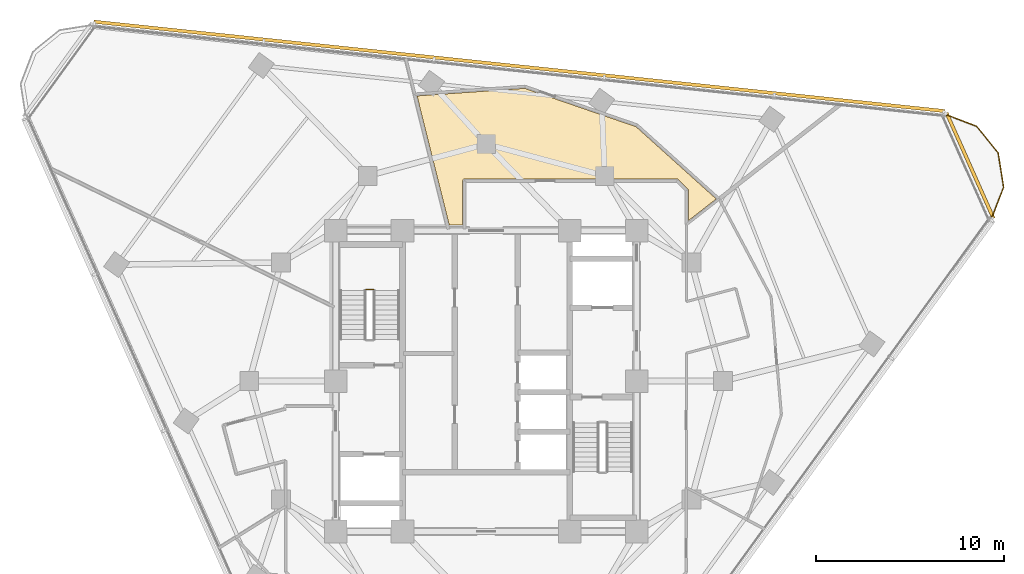
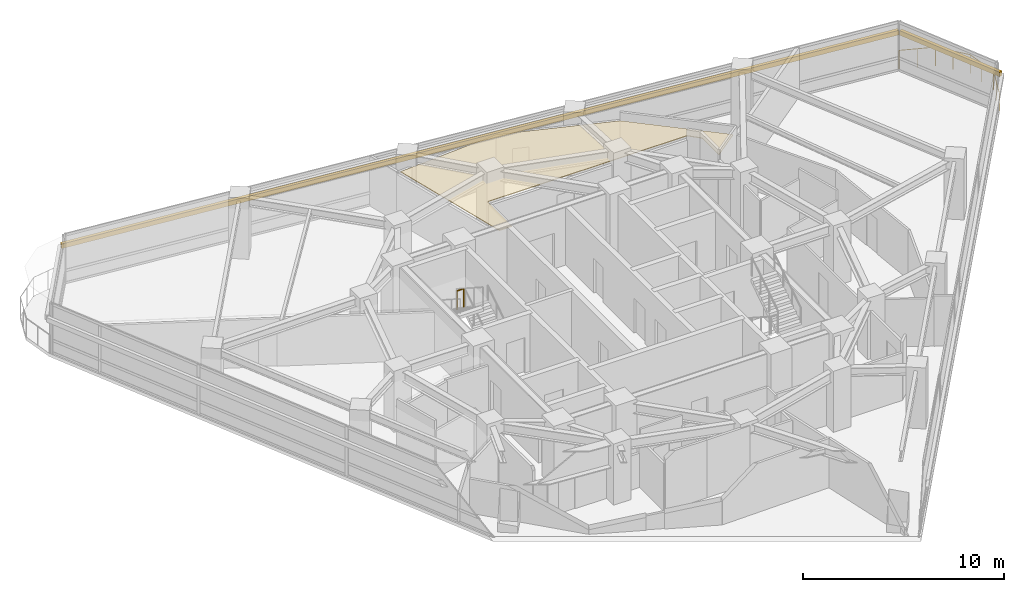
# One storey, part 14 of 14: 2 railings, 2 shading devices, 1 covering.
"""IFC4 building model written with IfcOpenShell, lengths in metres."""

from ifc_helpers import new_model, si_unit, direction, frame, origin, origin_2d, place, context, subcontext, project, spatial, polyline, rectangle, circle, outline, extrude, material, layer, layer_set, type_object, element, save


model = new_model("IFC4")

# Units and contexts
model_context = context("Model", 3, precision=1e-05, world=origin(), true_north=direction((0.0, 1.0)))
body_context = subcontext(model_context, "Body", "Model", "MODEL_VIEW")
ifc_project = project(units=[si_unit("LENGTHUNIT", "METRE"), si_unit("AREAUNIT", "SQUARE_METRE"), si_unit("VOLUMEUNIT", "CUBIC_METRE"), si_unit("PLANEANGLEUNIT", "RADIAN"), si_unit("MASSUNIT", "GRAM", prefix="KILO")], contexts=[model_context])

# Site, building, storey
site_placement = place(None, origin())
site = spatial("IfcSite", under=ifc_project, at=site_placement, CompositionType="ELEMENT")
building_placement = place(site_placement, origin())
building = spatial("IfcBuilding", under=site, at=building_placement, Name="Terralouvre Media Tower", CompositionType="ELEMENT")
storey_placement = place(building_placement, frame((0.0, 0.0, 222.60009765625)))
storey = spatial("IfcBuildingStorey", under=building, at=storey_placement, Name="L57", CompositionType="ELEMENT", Elevation=222.60009765625)

# Covering
ifc_material_1 = material(Name="Perforated aluminium acoustic ceiling baffle", Category="aluminium")
ifc_layer_1 = layer(ifc_material_1, 0.0400390625, Name="Perforated Acoustic Metal Tile Ceiling CL-AC1")
ifc_layer_set_1 = layer_set([ifc_layer_1], Name="Perforated aluminium acoustic ceiling baffle")
covering_type = type_object("IfcCoveringType", Name="Perforated Acoustic Metal Tile Ceiling CL-AC1", PredefinedType="CEILING", material=ifc_layer_set_1)
covering_placement = place(storey_placement, frame((0.0, 0.0, 2.97998046875), z_axis=(0.0, 0.0, 1.0), x_axis=(0.587785252292, 0.809016994375, 0.0)))
element("IfcCovering", 1, at=covering_placement, inside=storey, type_object=covering_type, Name="L57 Executive Security Control Room 8 Acoustic Ceiling", PredefinedType="CEILING", context=body_context, shape_type="SweptSolid", body=[
    extrude(outline(polyline([(7.889404296875, 7.276611328125), (7.898193359375, 7.281005859375), (7.9072265625, 7.28466796875), (7.916748046875, 7.28759765625), (7.92626953125, 7.289306640625), (7.936279296875, 7.290283203125), (7.946044921875, 7.2900390625), (7.955810546875, 7.2890625), (7.96533203125, 7.287109375), (7.974609375, 7.2841796875), (7.983642578125, 7.2802734375), (7.992431640625, 7.275634765625), (8.00048828125, 7.27001953125), (8.008056640625, 7.263671875), (8.014892578125, 7.256591796875), (8.02099609375, 7.2490234375), (14.662841796875, -1.892822265625), (14.668212890625, -1.901123046875), (14.6728515625, -1.90966796875), (14.676513671875, -1.918701171875), (14.67919921875, -1.92822265625), (14.68115234375, -1.93798828125), (14.681884765625, -1.94775390625), (14.681884765625, -1.95751953125), (14.680908203125, -1.96728515625), (14.570068359375, -2.665771484375), (14.568115234375, -2.67529296875), (14.565185546875, -2.6845703125), (14.561279296875, -2.693603515625), (14.556640625, -2.7021484375), (14.55126953125, -2.71044921875), (14.544921875, -2.718017578125), (14.537841796875, -2.724853515625), (14.5302734375, -2.73095703125), (13.21630859375, -3.685546875), (15.025634765625, -4.20458984375), (15.625732421875, 1.5048828125), (13.795654296875, 7.49072265625), (10.106201171875, 11.8876953125), (5.565673828125, 6.477294921875), (5.98828125, 5.895751953125), (7.88134765625, 7.271240234375), (7.889404296875, 7.276611328125)])), origin(), (0.0, 0.0, 1.0), 0.0400390625),
])

# Railings
ifc_material_2 = material(Name="Stainless steel 316 handrail and balustrade", Category="steel")
ifc_layer_2 = layer(ifc_material_2, 0.06005859375, Name="Roof Edge Safety Guardrail GR-ROOF1")
ifc_layer_set_2 = layer_set([ifc_layer_2], Name="Stainless steel 316 handrail and balustrade")
railing_type_1 = type_object("IfcRailingType", Name="Roof Edge Safety Guardrail GR-ROOF1", PredefinedType="GUARDRAIL", material=ifc_layer_set_2)
railing_1_placement = place(storey_placement, frame((26.85595703125, 8.593505859375, 0.0)))
element("IfcRailing", 2, at=railing_1_placement, inside=storey, type_object=railing_type_1, Name="L57 Wind-Corner Perimeter Safety Guardrail C1", PredefinedType="GUARDRAIL", context=body_context, shape_type="SweptSolid", body=[
    extrude(circle(Radius=0.02099609375, at=origin_2d()), frame((0.0, 0.0, 1.12890625), z_axis=(0.358685184164, 0.933458589688, 0.0), x_axis=(-0.933458589688, 0.358685184164, 0.0)), (0.0, 0.0, 1.0), 1.837158203125),
    extrude(circle(Radius=0.02099609375, at=origin_2d()), frame((0.658935546875, 1.71484375, 1.12890625), z_axis=(-0.156310663238, 0.987707940921, 0.0), x_axis=(-0.987707940921, -0.156310663238, 0.0)), (0.0, 0.0, 1.0), 1.836669921875),
    extrude(circle(Radius=0.02099609375, at=origin_2d()), frame((0.371826171875, 3.529052734375, 1.12890625), z_axis=(-0.629481130122, 0.777015769995, 0.0), x_axis=(-0.777015769995, -0.629481130122, 0.0)), (0.0, 0.0, 1.0), 1.8369140625),
    extrude(circle(Radius=0.02099609375, at=origin_2d()), frame((-0.784423828125, 4.956298828125, 1.12890625), z_axis=(-0.933653545479, 0.358177409974, 0.0), x_axis=(-0.358177409974, -0.933653545479, 0.0)), (0.0, 0.0, 1.0), 1.8369140625),
    extrude(circle(Radius=0.01904296875, at=origin_2d()), origin(), (0.0, 0.0, 1.0), 1.10791015625),
    extrude(circle(Radius=0.01904296875, at=origin_2d()), frame((0.32958984375, 0.857421875, 0.0)), (0.0, 0.0, 1.0), 1.10791015625),
    extrude(circle(Radius=0.01904296875, at=origin_2d()), frame((0.658935546875, 1.71484375, 0.0)), (0.0, 0.0, 1.0), 1.10791015625),
    extrude(circle(Radius=0.01904296875, at=origin_2d()), frame((0.515380859375, 2.6220703125, 0.0)), (0.0, 0.0, 1.0), 1.10791015625),
    extrude(circle(Radius=0.01904296875, at=origin_2d()), frame((0.371826171875, 3.529052734375, 0.0)), (0.0, 0.0, 1.0), 1.10791015625),
    extrude(circle(Radius=0.01904296875, at=origin_2d()), frame((-0.206298828125, 4.24267578125, 0.0)), (0.0, 0.0, 1.0), 1.10791015625),
    extrude(circle(Radius=0.01904296875, at=origin_2d()), frame((-0.784423828125, 4.956298828125, 0.0)), (0.0, 0.0, 1.0), 1.10791015625),
    extrude(circle(Radius=0.01904296875, at=origin_2d()), frame((-1.64208984375, 5.28515625, 0.0)), (0.0, 0.0, 1.0), 1.10791015625),
    extrude(circle(Radius=0.01904296875, at=origin_2d()), frame((-2.49951171875, 5.6142578125, 0.0)), (0.0, 0.0, 1.0), 1.10791015625),
])
ifc_material_3 = material(Name="Stainless steel 316 handrail and balustrade", Category="steel")
ifc_layer_3 = layer(ifc_material_3, 0.050048828125, Name="Stairwell Safety Guardrail GR-INT1")
ifc_layer_set_3 = layer_set([ifc_layer_3], Name="Stainless steel 316 handrail and balustrade")
railing_type_2 = type_object("IfcRailingType", Name="Stairwell Safety Guardrail GR-INT1", PredefinedType="GUARDRAIL", material=ifc_layer_set_3)
railing_2_placement = place(storey_placement, frame((-6.0, 4.8701171875, 1.849853515625)))
element("IfcRailing", 3, at=railing_2_placement, inside=storey, type_object=railing_type_2, Name="L57 ST-01 stair guard 2", PredefinedType="GUARDRAIL", context=body_context, shape_type="SweptSolid", body=[
    extrude(circle(Radius=0.02392578125, at=origin_2d()), frame((0.0, 0.0, 1.1259765625), z_axis=(-1.0, 0.0, 0.0), x_axis=(0.0, -1.0, 0.0)), (0.0, 0.0, 1.0), 0.3798828125),
    extrude(circle(Radius=0.02099609375, at=origin_2d()), origin(), (0.0, 0.0, 1.0), 1.101806640625),
    extrude(circle(Radius=0.02099609375, at=origin_2d()), frame((-0.3798828125, 0.0, 0.0)), (0.0, 0.0, 1.0), 1.101806640625),
])

# Shading devices
ifc_material_4 = material(Name="Extruded terracotta baguette sunshade louvres", Category="masonry")
shading_device_type = type_object("IfcShadingDeviceType", Name="Terracotta Baguette Sunshade Louvre Screen TB-LV1", PredefinedType="USERDEFINED", material=ifc_material_4)
shading_device_1_placement = place(storey_placement, frame((1.758544921875, 16.732666015625, 2.02392578125), z_axis=(0.0, 0.0, 1.0), x_axis=(-0.994521885028, 0.104528561651, 0.0)))
element("IfcShadingDevice", 4, at=shading_device_1_placement, inside=storey, type_object=shading_device_type, Name="CW-L57-F1 Terracotta Baguette Sunshade Louvre", ObjectType="BAGUETTE", PredefinedType="USERDEFINED", context=body_context, shape_type="SweptSolid", body=[
    extrude(rectangle(XDim=45.5, YDim=0.179931640625, at=origin_2d()), origin(), (0.0, 0.0, 1.0), 0.280029296875),
])
shading_device_2_placement = place(storey_placement, frame((25.7294921875, 11.45556640625, 2.02392578125), z_axis=(0.0, 0.0, 1.0), x_axis=(-0.406737441315, 0.913545102243, 0.0)))
element("IfcShadingDevice", 5, at=shading_device_2_placement, inside=storey, type_object=shading_device_type, Name="CW-L57-C1 Terracotta Baguette Sunshade Louvre", ObjectType="BAGUETTE", PredefinedType="USERDEFINED", context=body_context, shape_type="SweptSolid", body=[
    extrude(rectangle(XDim=6.148681640625, YDim=0.179931640625, at=origin_2d()), origin(), (0.0, 0.0, 1.0), 0.280029296875),
])

save(model, "model.ifc")
